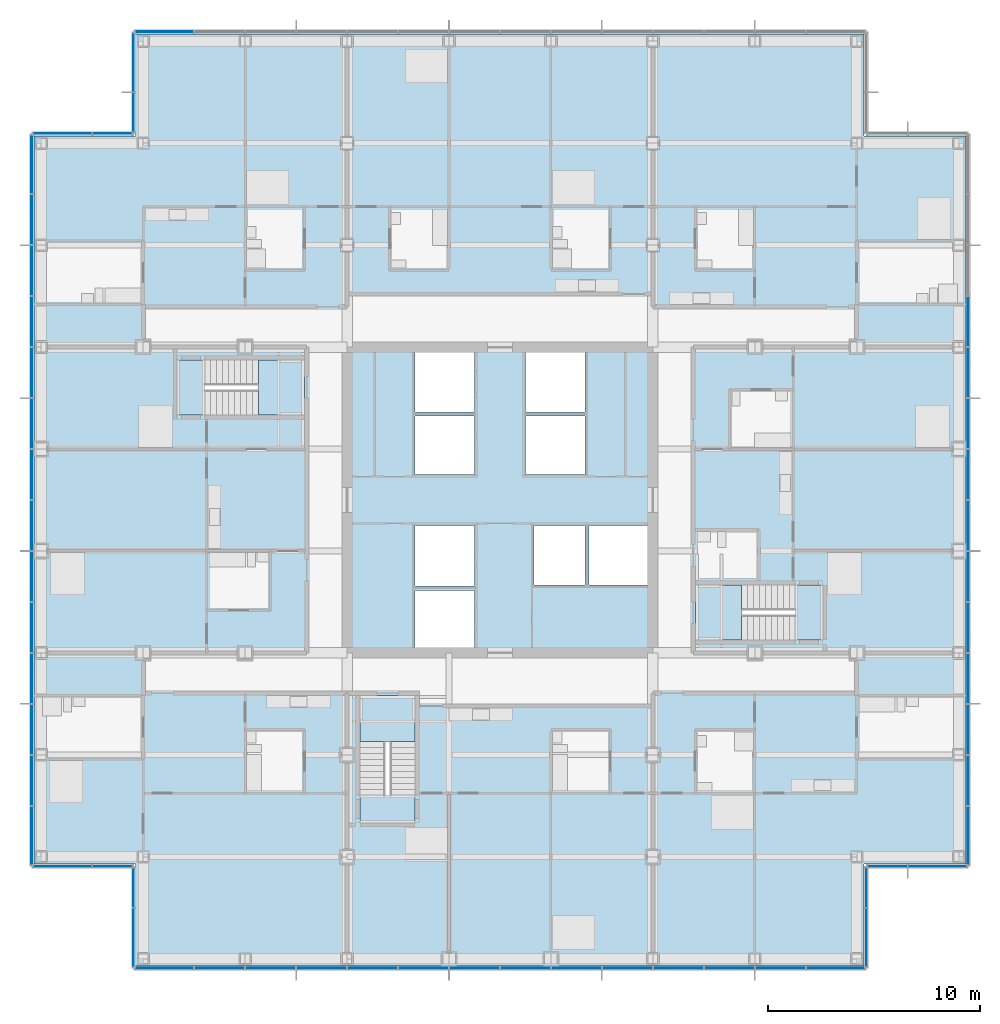
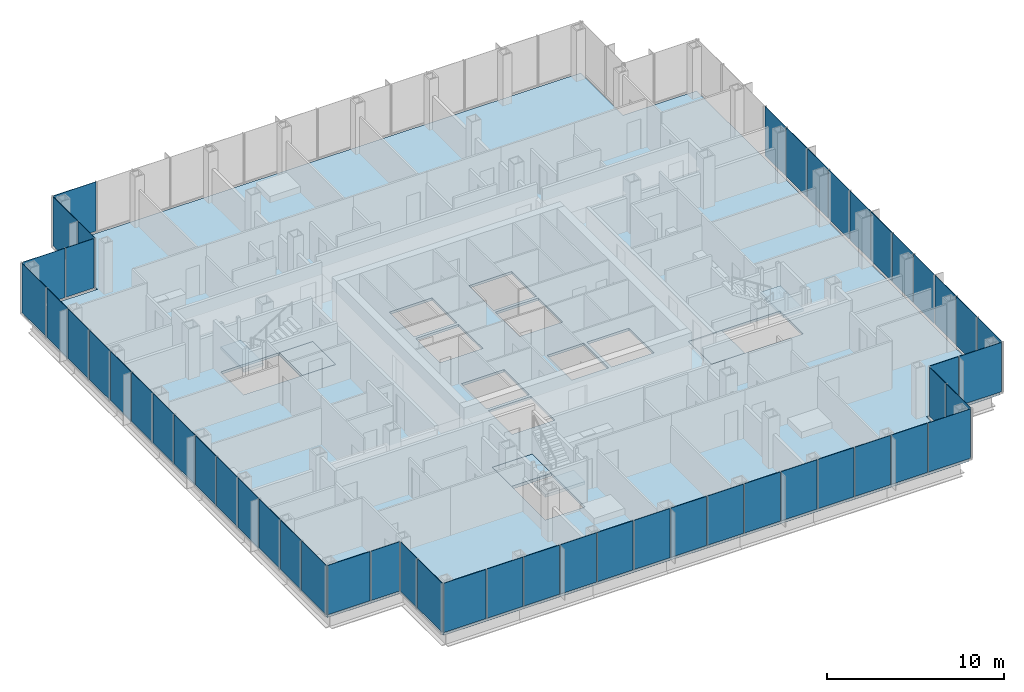
# One storey, part 12 of 21: 52 plates, 7 slabs, 13 elements without a shape of their own.
"""IFC4 building model written with IfcOpenShell, lengths in metres."""

from ifc_helpers import new_model, si_unit, direction, frame, origin, origin_2d, place, context, subcontext, project, spatial, polyline, rectangle, outline, extrude, material, layer, layer_set, type_object, element, aggregate, save


model = new_model("IFC4")

# Units and contexts
model_context = context("Model", 3, precision=1e-05, world=origin(), true_north=direction((0.0, 1.0)))
body_context = subcontext(model_context, "Body", "Model", "MODEL_VIEW")
ifc_project = project(units=[si_unit("LENGTHUNIT", "METRE"), si_unit("AREAUNIT", "SQUARE_METRE"), si_unit("VOLUMEUNIT", "CUBIC_METRE"), si_unit("PLANEANGLEUNIT", "RADIAN"), si_unit("MASSUNIT", "GRAM", prefix="KILO")], contexts=[model_context])

# Site, building, storey
site_placement = place(None, origin())
site = spatial("IfcSite", under=ifc_project, at=site_placement, CompositionType="ELEMENT")
building_placement = place(site_placement, origin())
building = spatial("IfcBuilding", under=site, at=building_placement, Name="Kvirike Care Tower", CompositionType="ELEMENT")
storey_placement = place(building_placement, frame((0.0, 0.0, 62.0)))
storey = spatial("IfcBuildingStorey", under=building, at=storey_placement, Name="L16", CompositionType="ELEMENT", Elevation=62.0)

# Slab
ifc_material_1 = material(Name="Concrete C35/45", Category="concrete")
ifc_layer_1 = layer(ifc_material_1, 0.169921875)
ifc_layer_set_1 = layer_set([ifc_layer_1], Name="FLOOR SLAB 170")
slab_type_1 = type_object("IfcSlabType", Name="FLOOR SLAB 170", PredefinedType="FLOOR", material=ifc_layer_set_1)
slab_1_placement = place(storey_placement, frame((0.0, 0.0, -0.169921875)))
element("IfcSlab", 1, at=slab_1_placement, inside=storey, type_object=slab_type_1, Name="Floor slab L16", PredefinedType="FLOOR", context=body_context, shape_type="SweptSolid", body=[
    extrude(outline(polyline([(-0.35009765625, 53.14990234375), (-0.35009765625, 18.85009765625), (4.449951171875, 18.85009765625), (4.449951171875, 14.050048828125), (38.75, 14.050048828125), (38.75, 18.85009765625), (43.550048828125, 18.85009765625), (43.550048828125, 53.14990234375), (38.75, 53.14990234375), (38.75, 57.949951171875), (4.449951171875, 57.949951171875), (4.449951171875, 53.14990234375), (-0.35009765625, 53.14990234375)]), holes=[polyline([(17.60009765625, 29.050048828125), (17.60009765625, 31.75), (20.39990234375, 31.75), (20.39990234375, 29.050048828125), (17.60009765625, 29.050048828125)]), polyline([(17.60009765625, 31.949951171875), (17.60009765625, 34.800048828125), (20.39990234375, 34.800048828125), (20.39990234375, 31.949951171875), (17.60009765625, 31.949951171875)]), polyline([(17.60009765625, 37.199951171875), (17.60009765625, 39.949951171875), (20.39990234375, 39.949951171875), (20.39990234375, 37.199951171875), (17.60009765625, 37.199951171875)]), polyline([(17.60009765625, 40.14990234375), (17.60009765625, 42.949951171875), (20.39990234375, 42.949951171875), (20.39990234375, 40.14990234375), (17.60009765625, 40.14990234375)]), polyline([(22.800048828125, 37.199951171875), (22.800048828125, 39.949951171875), (25.60009765625, 39.949951171875), (25.60009765625, 37.199951171875), (22.800048828125, 37.199951171875)]), polyline([(22.800048828125, 40.14990234375), (22.800048828125, 42.949951171875), (25.60009765625, 42.949951171875), (25.60009765625, 40.14990234375), (22.800048828125, 40.14990234375)]), polyline([(23.199951171875, 32.0), (23.199951171875, 34.800048828125), (25.60009765625, 34.800048828125), (25.60009765625, 32.0), (23.199951171875, 32.0)]), polyline([(25.800048828125, 32.0), (25.800048828125, 34.800048828125), (28.550048828125, 34.800048828125), (28.550048828125, 32.0), (25.800048828125, 32.0)]), polyline([(12.39990234375, 42.60009765625), (12.39990234375, 40.0), (6.39990234375, 40.0), (6.39990234375, 42.60009765625), (12.39990234375, 42.60009765625)]), polyline([(30.800048828125, 29.39990234375), (30.800048828125, 32.0), (36.800048828125, 32.0), (36.800048828125, 29.39990234375), (30.800048828125, 29.39990234375)]), polyline([(15.0, 26.800048828125), (17.60009765625, 26.800048828125), (17.60009765625, 20.800048828125), (15.0, 20.800048828125), (15.0, 26.800048828125)])]), origin(), (0.0, 0.0, 1.0), 0.169921875),
])

# Stair, slabs
ifc_material_2 = material(Name="Concrete C35/45", Category="concrete")
stair_type = type_object("IfcStairType", Name="STAIR 20 RISERS", PredefinedType="HALF_TURN_STAIR", material=ifc_material_2)
stair_1_placement = place(storey_placement, origin())
stair_1 = element("IfcStair", 2, at=stair_1_placement, inside=storey, type_object=stair_type, Name="Stair 1 L16", PredefinedType="HALF_TURN_STAIR")
ifc_material_3 = material(Name="Concrete C35/45", Category="concrete")
ifc_layer_2 = layer(ifc_material_3, 0.199951171875)
ifc_layer_set_2 = layer_set([ifc_layer_2], Name="STAIR LANDING 200")
slab_type_2 = type_object("IfcSlabType", Name="STAIR LANDING 200", PredefinedType="LANDING", material=ifc_layer_set_2)
slab_2_placement = place(storey_placement, frame((0.0, 0.0, -0.199951171875)))
slab_2 = element("IfcSlab", 3, at=slab_2_placement, type_object=slab_type_2, Name="Stair S1 floor landing L16", PredefinedType="LANDING", context=body_context, shape_type="SweptSolid", body=[
    extrude(outline(polyline([(10.219970703125, 42.60009765625), (10.219970703125, 40.0), (12.39990234375, 40.0), (12.39990234375, 42.60009765625), (10.219970703125, 42.60009765625)])), origin(), (0.0, 0.0, 1.0), 0.199951171875),
])
slab_3_placement = place(storey_placement, frame((0.0, 0.0, 1.550048828125)))
slab_3 = element("IfcSlab", 4, at=slab_3_placement, type_object=slab_type_2, Name="Stair S1 half landing L16-L17", PredefinedType="LANDING", context=body_context, shape_type="SweptSolid", body=[
    extrude(outline(polyline([(6.39990234375, 42.60009765625), (6.39990234375, 40.0), (7.699951171875, 40.0), (7.699951171875, 42.60009765625), (6.39990234375, 42.60009765625)])), origin(), (0.0, 0.0, 1.0), 0.199951171875),
])
aggregate(stair_1, [slab_2, slab_3])

stair_2_placement = place(storey_placement, origin())
stair_2 = element("IfcStair", 5, at=stair_2_placement, inside=storey, type_object=stair_type, Name="Stair 2 L16", PredefinedType="HALF_TURN_STAIR")
slab_4_placement = place(storey_placement, frame((0.0, 0.0, -0.199951171875)))
slab_4 = element("IfcSlab", 6, at=slab_4_placement, type_object=slab_type_2, Name="Stair S2 floor landing L16", PredefinedType="LANDING", context=body_context, shape_type="SweptSolid", body=[
    extrude(outline(polyline([(32.97998046875, 29.39990234375), (32.97998046875, 32.0), (30.800048828125, 32.0), (30.800048828125, 29.39990234375), (32.97998046875, 29.39990234375)])), origin(), (0.0, 0.0, 1.0), 0.199951171875),
])
slab_5_placement = place(storey_placement, frame((0.0, 0.0, 1.550048828125)))
slab_5 = element("IfcSlab", 7, at=slab_5_placement, type_object=slab_type_2, Name="Stair S2 half landing L16-L17", PredefinedType="LANDING", context=body_context, shape_type="SweptSolid", body=[
    extrude(outline(polyline([(36.800048828125, 29.39990234375), (36.800048828125, 32.0), (35.5, 32.0), (35.5, 29.39990234375), (36.800048828125, 29.39990234375)])), origin(), (0.0, 0.0, 1.0), 0.199951171875),
])
aggregate(stair_2, [slab_4, slab_5])

stair_3_placement = place(storey_placement, origin())
stair_3 = element("IfcStair", 8, at=stair_3_placement, inside=storey, type_object=stair_type, Name="Stair 5 L16", PredefinedType="HALF_TURN_STAIR")
slab_6_placement = place(storey_placement, frame((0.0, 0.0, -0.199951171875)))
slab_6 = element("IfcSlab", 9, at=slab_6_placement, type_object=slab_type_2, Name="Stair S5 floor landing L16", PredefinedType="LANDING", context=body_context, shape_type="SweptSolid", body=[
    extrude(outline(polyline([(15.0, 24.6201171875), (17.60009765625, 24.6201171875), (17.60009765625, 26.800048828125), (15.0, 26.800048828125), (15.0, 24.6201171875)])), origin(), (0.0, 0.0, 1.0), 0.199951171875),
])
slab_7_placement = place(storey_placement, frame((0.0, 0.0, 1.550048828125)))
slab_7 = element("IfcSlab", 10, at=slab_7_placement, type_object=slab_type_2, Name="Stair S5 half landing L16-L17", PredefinedType="LANDING", context=body_context, shape_type="SweptSolid", body=[
    extrude(outline(polyline([(15.0, 20.800048828125), (17.60009765625, 20.800048828125), (17.60009765625, 22.10009765625), (15.0, 22.10009765625), (15.0, 20.800048828125)])), origin(), (0.0, 0.0, 1.0), 0.199951171875),
])
aggregate(stair_3, [slab_6, slab_7])

# Curtain wall, plates
ifc_material_4 = material(Name="Anodised aluminium stick system", Category="aluminium")
curtain_wall_type = type_object("IfcCurtainWallType", Name="CW-A STICK CURTAIN WALL", PredefinedType="NOTDEFINED", material=ifc_material_4)
curtain_wall_1_placement = place(storey_placement, origin())
curtain_wall_1 = element("IfcCurtainWall", 11, at=curtain_wall_1_placement, inside=storey, type_object=curtain_wall_type, Name="Curtain wall L16 face 1", PredefinedType="NOTDEFINED")
ifc_material_5 = material(Name="Tinted double glazed unit", Category="glass")
ifc_layer_3 = layer(ifc_material_5, 0.031982421875)
ifc_layer_set_3 = layer_set([ifc_layer_3], Name="TINTED VISION PANEL 32")
plate_type = type_object("IfcPlateType", Name="TINTED VISION PANEL 32", PredefinedType="CURTAIN_PANEL", material=ifc_layer_set_3)
plate_1_placement = place(storey_placement, frame((-0.449951171875, 51.808837890625, 0.10009765625), z_axis=(0.0, 0.0, 1.0), x_axis=(0.0, -1.0, 0.0)))
plate_1 = element("IfcPlate", 12, at=plate_1_placement, type_object=plate_type, Name="CW-A panel L16 face 1.1", PredefinedType="CURTAIN_PANEL", context=body_context, shape_type="SweptSolid", body=[
    extrude(rectangle(XDim=2.75244140625, YDim=0.031982421875, at=origin_2d()), origin(), (0.0, 0.0, 1.0), 3.39990234375),
])
plate_2_placement = place(storey_placement, frame((-0.449951171875, 49.199951171875, 0.10009765625), z_axis=(0.0, 0.0, 1.0), x_axis=(0.0, -1.0, 0.0)))
plate_2 = element("IfcPlate", 13, at=plate_2_placement, type_object=plate_type, Name="CW-A panel L16 face 1.2", PredefinedType="CURTAIN_PANEL", context=body_context, shape_type="SweptSolid", body=[
    extrude(rectangle(XDim=2.3349609375, YDim=0.031982421875, at=origin_2d()), origin(), (0.0, 0.0, 1.0), 3.39990234375),
])
plate_3_placement = place(storey_placement, frame((-0.449951171875, 46.800048828125, 0.10009765625), z_axis=(0.0, 0.0, 1.0), x_axis=(0.0, -1.0, 0.0)))
plate_3 = element("IfcPlate", 14, at=plate_3_placement, type_object=plate_type, Name="CW-A panel L16 face 1.3", PredefinedType="CURTAIN_PANEL", context=body_context, shape_type="SweptSolid", body=[
    extrude(rectangle(XDim=2.3349609375, YDim=0.031982421875, at=origin_2d()), origin(), (0.0, 0.0, 1.0), 3.39990234375),
])
plate_4_placement = place(storey_placement, frame((-0.449951171875, 44.39990234375, 0.10009765625), z_axis=(0.0, 0.0, 1.0), x_axis=(0.0, -1.0, 0.0)))
plate_4 = element("IfcPlate", 15, at=plate_4_placement, type_object=plate_type, Name="CW-A panel L16 face 1.4", PredefinedType="CURTAIN_PANEL", context=body_context, shape_type="SweptSolid", body=[
    extrude(rectangle(XDim=2.3349609375, YDim=0.031982421875, at=origin_2d()), origin(), (0.0, 0.0, 1.0), 3.39990234375),
])
plate_5_placement = place(storey_placement, frame((-0.449951171875, 42.0, 0.10009765625), z_axis=(0.0, 0.0, 1.0), x_axis=(0.0, -1.0, 0.0)))
plate_5 = element("IfcPlate", 16, at=plate_5_placement, type_object=plate_type, Name="CW-A panel L16 face 1.5", PredefinedType="CURTAIN_PANEL", context=body_context, shape_type="SweptSolid", body=[
    extrude(rectangle(XDim=2.3349609375, YDim=0.031982421875, at=origin_2d()), origin(), (0.0, 0.0, 1.0), 3.39990234375),
])
plate_6_placement = place(storey_placement, frame((-0.449951171875, 39.60009765625, 0.10009765625), z_axis=(0.0, 0.0, 1.0), x_axis=(0.0, -1.0, 0.0)))
plate_6 = element("IfcPlate", 17, at=plate_6_placement, type_object=plate_type, Name="CW-A panel L16 face 1.6", PredefinedType="CURTAIN_PANEL", context=body_context, shape_type="SweptSolid", body=[
    extrude(rectangle(XDim=2.3349609375, YDim=0.031982421875, at=origin_2d()), origin(), (0.0, 0.0, 1.0), 3.39990234375),
])
plate_7_placement = place(storey_placement, frame((-0.449951171875, 37.199951171875, 0.10009765625), z_axis=(0.0, 0.0, 1.0), x_axis=(0.0, -1.0, 0.0)))
plate_7 = element("IfcPlate", 18, at=plate_7_placement, type_object=plate_type, Name="CW-A panel L16 face 1.7", PredefinedType="CURTAIN_PANEL", context=body_context, shape_type="SweptSolid", body=[
    extrude(rectangle(XDim=2.3349609375, YDim=0.031982421875, at=origin_2d()), origin(), (0.0, 0.0, 1.0), 3.39990234375),
])
plate_8_placement = place(storey_placement, frame((-0.449951171875, 34.800048828125, 0.10009765625), z_axis=(0.0, 0.0, 1.0), x_axis=(0.0, -1.0, 0.0)))
plate_8 = element("IfcPlate", 19, at=plate_8_placement, type_object=plate_type, Name="CW-A panel L16 face 1.8", PredefinedType="CURTAIN_PANEL", context=body_context, shape_type="SweptSolid", body=[
    extrude(rectangle(XDim=2.3349609375, YDim=0.031982421875, at=origin_2d()), origin(), (0.0, 0.0, 1.0), 3.39990234375),
])
plate_9_placement = place(storey_placement, frame((-0.449951171875, 32.39990234375, 0.10009765625), z_axis=(0.0, 0.0, 1.0), x_axis=(0.0, -1.0, 0.0)))
plate_9 = element("IfcPlate", 20, at=plate_9_placement, type_object=plate_type, Name="CW-A panel L16 face 1.9", PredefinedType="CURTAIN_PANEL", context=body_context, shape_type="SweptSolid", body=[
    extrude(rectangle(XDim=2.3349609375, YDim=0.031982421875, at=origin_2d()), origin(), (0.0, 0.0, 1.0), 3.39990234375),
])
plate_10_placement = place(storey_placement, frame((-0.449951171875, 30.0, 0.10009765625), z_axis=(0.0, 0.0, 1.0), x_axis=(0.0, -1.0, 0.0)))
plate_10 = element("IfcPlate", 21, at=plate_10_placement, type_object=plate_type, Name="CW-A panel L16 face 1.10", PredefinedType="CURTAIN_PANEL", context=body_context, shape_type="SweptSolid", body=[
    extrude(rectangle(XDim=2.3349609375, YDim=0.031982421875, at=origin_2d()), origin(), (0.0, 0.0, 1.0), 3.39990234375),
])
plate_11_placement = place(storey_placement, frame((-0.449951171875, 27.60009765625, 0.10009765625), z_axis=(0.0, 0.0, 1.0), x_axis=(0.0, -1.0, 0.0)))
plate_11 = element("IfcPlate", 22, at=plate_11_placement, type_object=plate_type, Name="CW-A panel L16 face 1.11", PredefinedType="CURTAIN_PANEL", context=body_context, shape_type="SweptSolid", body=[
    extrude(rectangle(XDim=2.3349609375, YDim=0.031982421875, at=origin_2d()), origin(), (0.0, 0.0, 1.0), 3.39990234375),
])
plate_12_placement = place(storey_placement, frame((-0.449951171875, 25.199951171875, 0.10009765625), z_axis=(0.0, 0.0, 1.0), x_axis=(0.0, -1.0, 0.0)))
plate_12 = element("IfcPlate", 23, at=plate_12_placement, type_object=plate_type, Name="CW-A panel L16 face 1.12", PredefinedType="CURTAIN_PANEL", context=body_context, shape_type="SweptSolid", body=[
    extrude(rectangle(XDim=2.3349609375, YDim=0.031982421875, at=origin_2d()), origin(), (0.0, 0.0, 1.0), 3.39990234375),
])
plate_13_placement = place(storey_placement, frame((-0.449951171875, 22.800048828125, 0.10009765625), z_axis=(0.0, 0.0, 1.0), x_axis=(0.0, -1.0, 0.0)))
plate_13 = element("IfcPlate", 24, at=plate_13_placement, type_object=plate_type, Name="CW-A panel L16 face 1.13", PredefinedType="CURTAIN_PANEL", context=body_context, shape_type="SweptSolid", body=[
    extrude(rectangle(XDim=2.3349609375, YDim=0.031982421875, at=origin_2d()), origin(), (0.0, 0.0, 1.0), 3.39990234375),
])
plate_14_placement = place(storey_placement, frame((-0.449951171875, 20.191162109375, 0.10009765625), z_axis=(0.0, 0.0, 1.0), x_axis=(0.0, -1.0, 0.0)))
plate_14 = element("IfcPlate", 25, at=plate_14_placement, type_object=plate_type, Name="CW-A panel L16 face 1.14", PredefinedType="CURTAIN_PANEL", context=body_context, shape_type="SweptSolid", body=[
    extrude(rectangle(XDim=2.75244140625, YDim=0.031982421875, at=origin_2d()), origin(), (0.0, 0.0, 1.0), 3.39990234375),
])
aggregate(curtain_wall_1, [plate_1, plate_2, plate_3, plate_4, plate_5, plate_6, plate_7, plate_8, plate_9, plate_10, plate_11, plate_12, plate_13, plate_14])

curtain_wall_2_placement = place(storey_placement, origin())
curtain_wall_2 = element("IfcCurtainWall", 26, at=curtain_wall_2_placement, inside=storey, type_object=curtain_wall_type, Name="Curtain wall L16 face 2", PredefinedType="NOTDEFINED")
plate_15_placement = place(storey_placement, frame((0.9912109375, 18.75, 0.10009765625), z_axis=(0.0, 0.0, 1.0), x_axis=(1.0, 0.0, 0.0)))
plate_15 = element("IfcPlate", 27, at=plate_15_placement, type_object=plate_type, Name="CW-A panel L16 face 2.1", PredefinedType="CURTAIN_PANEL", context=body_context, shape_type="SweptSolid", body=[
    extrude(rectangle(XDim=2.75244140625, YDim=0.031982421875, at=origin_2d()), origin(), (0.0, 0.0, 1.0), 3.39990234375),
])
plate_16_placement = place(storey_placement, frame((3.358642578125, 18.75, 0.10009765625), z_axis=(0.0, 0.0, 1.0), x_axis=(1.0, 0.0, 0.0)))
plate_16 = element("IfcPlate", 28, at=plate_16_placement, type_object=plate_type, Name="CW-A panel L16 face 2.2", PredefinedType="CURTAIN_PANEL", context=body_context, shape_type="SweptSolid", body=[
    extrude(rectangle(XDim=1.8525390625, YDim=0.031982421875, at=origin_2d()), origin(), (0.0, 0.0, 1.0), 3.39990234375),
])
aggregate(curtain_wall_2, [plate_15, plate_16])

curtain_wall_3_placement = place(storey_placement, origin())
curtain_wall_3 = element("IfcCurtainWall", 29, at=curtain_wall_3_placement, inside=storey, type_object=curtain_wall_type, Name="Curtain wall L16 face 3", PredefinedType="NOTDEFINED")
plate_17_placement = place(storey_placement, frame((4.35009765625, 17.7587890625, 0.10009765625), z_axis=(0.0, 0.0, 1.0), x_axis=(0.0, -1.0, 0.0)))
plate_17 = element("IfcPlate", 30, at=plate_17_placement, type_object=plate_type, Name="CW-A panel L16 face 3.1", PredefinedType="CURTAIN_PANEL", context=body_context, shape_type="SweptSolid", body=[
    extrude(rectangle(XDim=1.8525390625, YDim=0.031982421875, at=origin_2d()), origin(), (0.0, 0.0, 1.0), 3.39990234375),
])
plate_18_placement = place(storey_placement, frame((4.35009765625, 15.391357421875, 0.10009765625), z_axis=(0.0, 0.0, 1.0), x_axis=(0.0, -1.0, 0.0)))
plate_18 = element("IfcPlate", 31, at=plate_18_placement, type_object=plate_type, Name="CW-A panel L16 face 3.2", PredefinedType="CURTAIN_PANEL", context=body_context, shape_type="SweptSolid", body=[
    extrude(rectangle(XDim=2.75244140625, YDim=0.031982421875, at=origin_2d()), origin(), (0.0, 0.0, 1.0), 3.39990234375),
])
aggregate(curtain_wall_3, [plate_17, plate_18])

curtain_wall_4_placement = place(storey_placement, origin())
curtain_wall_4 = element("IfcCurtainWall", 32, at=curtain_wall_4_placement, inside=storey, type_object=curtain_wall_type, Name="Curtain wall L16 face 4", PredefinedType="NOTDEFINED")
plate_19_placement = place(storey_placement, frame((5.791259765625, 13.949951171875, 0.10009765625), z_axis=(0.0, 0.0, 1.0), x_axis=(1.0, 0.0, 0.0)))
plate_19 = element("IfcPlate", 33, at=plate_19_placement, type_object=plate_type, Name="CW-A panel L16 face 4.1", PredefinedType="CURTAIN_PANEL", context=body_context, shape_type="SweptSolid", body=[
    extrude(rectangle(XDim=2.75244140625, YDim=0.031982421875, at=origin_2d()), origin(), (0.0, 0.0, 1.0), 3.39990234375),
])
plate_20_placement = place(storey_placement, frame((8.39990234375, 13.949951171875, 0.10009765625), z_axis=(0.0, 0.0, 1.0), x_axis=(1.0, 0.0, 0.0)))
plate_20 = element("IfcPlate", 34, at=plate_20_placement, type_object=plate_type, Name="CW-A panel L16 face 4.2", PredefinedType="CURTAIN_PANEL", context=body_context, shape_type="SweptSolid", body=[
    extrude(rectangle(XDim=2.3349609375, YDim=0.031982421875, at=origin_2d()), origin(), (0.0, 0.0, 1.0), 3.39990234375),
])
plate_21_placement = place(storey_placement, frame((10.800048828125, 13.949951171875, 0.10009765625), z_axis=(0.0, 0.0, 1.0), x_axis=(1.0, 0.0, 0.0)))
plate_21 = element("IfcPlate", 35, at=plate_21_placement, type_object=plate_type, Name="CW-A panel L16 face 4.3", PredefinedType="CURTAIN_PANEL", context=body_context, shape_type="SweptSolid", body=[
    extrude(rectangle(XDim=2.3349609375, YDim=0.031982421875, at=origin_2d()), origin(), (0.0, 0.0, 1.0), 3.39990234375),
])
plate_22_placement = place(storey_placement, frame((13.199951171875, 13.949951171875, 0.10009765625), z_axis=(0.0, 0.0, 1.0), x_axis=(1.0, 0.0, 0.0)))
plate_22 = element("IfcPlate", 36, at=plate_22_placement, type_object=plate_type, Name="CW-A panel L16 face 4.4", PredefinedType="CURTAIN_PANEL", context=body_context, shape_type="SweptSolid", body=[
    extrude(rectangle(XDim=2.3349609375, YDim=0.031982421875, at=origin_2d()), origin(), (0.0, 0.0, 1.0), 3.39990234375),
])
plate_23_placement = place(storey_placement, frame((15.60009765625, 13.949951171875, 0.10009765625), z_axis=(0.0, 0.0, 1.0), x_axis=(1.0, 0.0, 0.0)))
plate_23 = element("IfcPlate", 37, at=plate_23_placement, type_object=plate_type, Name="CW-A panel L16 face 4.5", PredefinedType="CURTAIN_PANEL", context=body_context, shape_type="SweptSolid", body=[
    extrude(rectangle(XDim=2.3349609375, YDim=0.031982421875, at=origin_2d()), origin(), (0.0, 0.0, 1.0), 3.39990234375),
])
plate_24_placement = place(storey_placement, frame((18.0, 13.949951171875, 0.10009765625), z_axis=(0.0, 0.0, 1.0), x_axis=(1.0, 0.0, 0.0)))
plate_24 = element("IfcPlate", 38, at=plate_24_placement, type_object=plate_type, Name="CW-A panel L16 face 4.6", PredefinedType="CURTAIN_PANEL", context=body_context, shape_type="SweptSolid", body=[
    extrude(rectangle(XDim=2.3349609375, YDim=0.031982421875, at=origin_2d()), origin(), (0.0, 0.0, 1.0), 3.39990234375),
])
plate_25_placement = place(storey_placement, frame((20.39990234375, 13.949951171875, 0.10009765625), z_axis=(0.0, 0.0, 1.0), x_axis=(1.0, 0.0, 0.0)))
plate_25 = element("IfcPlate", 39, at=plate_25_placement, type_object=plate_type, Name="CW-A panel L16 face 4.7", PredefinedType="CURTAIN_PANEL", context=body_context, shape_type="SweptSolid", body=[
    extrude(rectangle(XDim=2.3349609375, YDim=0.031982421875, at=origin_2d()), origin(), (0.0, 0.0, 1.0), 3.39990234375),
])
plate_26_placement = place(storey_placement, frame((22.800048828125, 13.949951171875, 0.10009765625), z_axis=(0.0, 0.0, 1.0), x_axis=(1.0, 0.0, 0.0)))
plate_26 = element("IfcPlate", 40, at=plate_26_placement, type_object=plate_type, Name="CW-A panel L16 face 4.8", PredefinedType="CURTAIN_PANEL", context=body_context, shape_type="SweptSolid", body=[
    extrude(rectangle(XDim=2.3349609375, YDim=0.031982421875, at=origin_2d()), origin(), (0.0, 0.0, 1.0), 3.39990234375),
])
plate_27_placement = place(storey_placement, frame((25.199951171875, 13.949951171875, 0.10009765625), z_axis=(0.0, 0.0, 1.0), x_axis=(1.0, 0.0, 0.0)))
plate_27 = element("IfcPlate", 41, at=plate_27_placement, type_object=plate_type, Name="CW-A panel L16 face 4.9", PredefinedType="CURTAIN_PANEL", context=body_context, shape_type="SweptSolid", body=[
    extrude(rectangle(XDim=2.3349609375, YDim=0.031982421875, at=origin_2d()), origin(), (0.0, 0.0, 1.0), 3.39990234375),
])
plate_28_placement = place(storey_placement, frame((27.60009765625, 13.949951171875, 0.10009765625), z_axis=(0.0, 0.0, 1.0), x_axis=(1.0, 0.0, 0.0)))
plate_28 = element("IfcPlate", 42, at=plate_28_placement, type_object=plate_type, Name="CW-A panel L16 face 4.10", PredefinedType="CURTAIN_PANEL", context=body_context, shape_type="SweptSolid", body=[
    extrude(rectangle(XDim=2.3349609375, YDim=0.031982421875, at=origin_2d()), origin(), (0.0, 0.0, 1.0), 3.39990234375),
])
plate_29_placement = place(storey_placement, frame((30.0, 13.949951171875, 0.10009765625), z_axis=(0.0, 0.0, 1.0), x_axis=(1.0, 0.0, 0.0)))
plate_29 = element("IfcPlate", 43, at=plate_29_placement, type_object=plate_type, Name="CW-A panel L16 face 4.11", PredefinedType="CURTAIN_PANEL", context=body_context, shape_type="SweptSolid", body=[
    extrude(rectangle(XDim=2.3349609375, YDim=0.031982421875, at=origin_2d()), origin(), (0.0, 0.0, 1.0), 3.39990234375),
])
plate_30_placement = place(storey_placement, frame((32.39990234375, 13.949951171875, 0.10009765625), z_axis=(0.0, 0.0, 1.0), x_axis=(1.0, 0.0, 0.0)))
plate_30 = element("IfcPlate", 44, at=plate_30_placement, type_object=plate_type, Name="CW-A panel L16 face 4.12", PredefinedType="CURTAIN_PANEL", context=body_context, shape_type="SweptSolid", body=[
    extrude(rectangle(XDim=2.3349609375, YDim=0.031982421875, at=origin_2d()), origin(), (0.0, 0.0, 1.0), 3.39990234375),
])
plate_31_placement = place(storey_placement, frame((34.800048828125, 13.949951171875, 0.10009765625), z_axis=(0.0, 0.0, 1.0), x_axis=(1.0, 0.0, 0.0)))
plate_31 = element("IfcPlate", 45, at=plate_31_placement, type_object=plate_type, Name="CW-A panel L16 face 4.13", PredefinedType="CURTAIN_PANEL", context=body_context, shape_type="SweptSolid", body=[
    extrude(rectangle(XDim=2.3349609375, YDim=0.031982421875, at=origin_2d()), origin(), (0.0, 0.0, 1.0), 3.39990234375),
])
plate_32_placement = place(storey_placement, frame((37.40869140625, 13.949951171875, 0.10009765625), z_axis=(0.0, 0.0, 1.0), x_axis=(1.0, 0.0, 0.0)))
plate_32 = element("IfcPlate", 46, at=plate_32_placement, type_object=plate_type, Name="CW-A panel L16 face 4.14", PredefinedType="CURTAIN_PANEL", context=body_context, shape_type="SweptSolid", body=[
    extrude(rectangle(XDim=2.75244140625, YDim=0.031982421875, at=origin_2d()), origin(), (0.0, 0.0, 1.0), 3.39990234375),
])
aggregate(curtain_wall_4, [plate_19, plate_20, plate_21, plate_22, plate_23, plate_24, plate_25, plate_26, plate_27, plate_28, plate_29, plate_30, plate_31, plate_32])

curtain_wall_5_placement = place(storey_placement, origin())
curtain_wall_5 = element("IfcCurtainWall", 47, at=curtain_wall_5_placement, inside=storey, type_object=curtain_wall_type, Name="Curtain wall L16 face 5", PredefinedType="NOTDEFINED")
plate_33_placement = place(storey_placement, frame((38.85009765625, 15.391357421875, 0.10009765625), z_axis=(0.0, 0.0, 1.0), x_axis=(0.0, 1.0, 0.0)))
plate_33 = element("IfcPlate", 48, at=plate_33_placement, type_object=plate_type, Name="CW-A panel L16 face 5.1", PredefinedType="CURTAIN_PANEL", context=body_context, shape_type="SweptSolid", body=[
    extrude(rectangle(XDim=2.75244140625, YDim=0.031982421875, at=origin_2d()), origin(), (0.0, 0.0, 1.0), 3.39990234375),
])
plate_34_placement = place(storey_placement, frame((38.85009765625, 17.7587890625, 0.10009765625), z_axis=(0.0, 0.0, 1.0), x_axis=(0.0, 1.0, 0.0)))
plate_34 = element("IfcPlate", 49, at=plate_34_placement, type_object=plate_type, Name="CW-A panel L16 face 5.2", PredefinedType="CURTAIN_PANEL", context=body_context, shape_type="SweptSolid", body=[
    extrude(rectangle(XDim=1.8525390625, YDim=0.031982421875, at=origin_2d()), origin(), (0.0, 0.0, 1.0), 3.39990234375),
])
aggregate(curtain_wall_5, [plate_33, plate_34])

curtain_wall_6_placement = place(storey_placement, origin())
curtain_wall_6 = element("IfcCurtainWall", 50, at=curtain_wall_6_placement, inside=storey, type_object=curtain_wall_type, Name="Curtain wall L16 face 6", PredefinedType="NOTDEFINED")
plate_35_placement = place(storey_placement, frame((39.84130859375, 18.75, 0.10009765625), z_axis=(0.0, 0.0, 1.0), x_axis=(1.0, 0.0, 0.0)))
plate_35 = element("IfcPlate", 51, at=plate_35_placement, type_object=plate_type, Name="CW-A panel L16 face 6.1", PredefinedType="CURTAIN_PANEL", context=body_context, shape_type="SweptSolid", body=[
    extrude(rectangle(XDim=1.8525390625, YDim=0.031982421875, at=origin_2d()), origin(), (0.0, 0.0, 1.0), 3.39990234375),
])
plate_36_placement = place(storey_placement, frame((42.208740234375, 18.75, 0.10009765625), z_axis=(0.0, 0.0, 1.0), x_axis=(1.0, 0.0, 0.0)))
plate_36 = element("IfcPlate", 52, at=plate_36_placement, type_object=plate_type, Name="CW-A panel L16 face 6.2", PredefinedType="CURTAIN_PANEL", context=body_context, shape_type="SweptSolid", body=[
    extrude(rectangle(XDim=2.75244140625, YDim=0.031982421875, at=origin_2d()), origin(), (0.0, 0.0, 1.0), 3.39990234375),
])
aggregate(curtain_wall_6, [plate_35, plate_36])

curtain_wall_7_placement = place(storey_placement, origin())
curtain_wall_7 = element("IfcCurtainWall", 53, at=curtain_wall_7_placement, inside=storey, type_object=curtain_wall_type, Name="Curtain wall L16 face 7", PredefinedType="NOTDEFINED")
plate_37_placement = place(storey_placement, frame((43.64990234375, 20.191162109375, 0.10009765625), z_axis=(0.0, 0.0, 1.0), x_axis=(0.0, 1.0, 0.0)))
plate_37 = element("IfcPlate", 54, at=plate_37_placement, type_object=plate_type, Name="CW-A panel L16 face 7.1", PredefinedType="CURTAIN_PANEL", context=body_context, shape_type="SweptSolid", body=[
    extrude(rectangle(XDim=2.75244140625, YDim=0.031982421875, at=origin_2d()), origin(), (0.0, 0.0, 1.0), 3.39990234375),
])
plate_38_placement = place(storey_placement, frame((43.64990234375, 22.800048828125, 0.10009765625), z_axis=(0.0, 0.0, 1.0), x_axis=(0.0, 1.0, 0.0)))
plate_38 = element("IfcPlate", 55, at=plate_38_placement, type_object=plate_type, Name="CW-A panel L16 face 7.2", PredefinedType="CURTAIN_PANEL", context=body_context, shape_type="SweptSolid", body=[
    extrude(rectangle(XDim=2.3349609375, YDim=0.031982421875, at=origin_2d()), origin(), (0.0, 0.0, 1.0), 3.39990234375),
])
plate_39_placement = place(storey_placement, frame((43.64990234375, 25.199951171875, 0.10009765625), z_axis=(0.0, 0.0, 1.0), x_axis=(0.0, 1.0, 0.0)))
plate_39 = element("IfcPlate", 56, at=plate_39_placement, type_object=plate_type, Name="CW-A panel L16 face 7.3", PredefinedType="CURTAIN_PANEL", context=body_context, shape_type="SweptSolid", body=[
    extrude(rectangle(XDim=2.3349609375, YDim=0.031982421875, at=origin_2d()), origin(), (0.0, 0.0, 1.0), 3.39990234375),
])
plate_40_placement = place(storey_placement, frame((43.64990234375, 27.60009765625, 0.10009765625), z_axis=(0.0, 0.0, 1.0), x_axis=(0.0, 1.0, 0.0)))
plate_40 = element("IfcPlate", 57, at=plate_40_placement, type_object=plate_type, Name="CW-A panel L16 face 7.4", PredefinedType="CURTAIN_PANEL", context=body_context, shape_type="SweptSolid", body=[
    extrude(rectangle(XDim=2.3349609375, YDim=0.031982421875, at=origin_2d()), origin(), (0.0, 0.0, 1.0), 3.39990234375),
])
plate_41_placement = place(storey_placement, frame((43.64990234375, 30.0, 0.10009765625), z_axis=(0.0, 0.0, 1.0), x_axis=(0.0, 1.0, 0.0)))
plate_41 = element("IfcPlate", 58, at=plate_41_placement, type_object=plate_type, Name="CW-A panel L16 face 7.5", PredefinedType="CURTAIN_PANEL", context=body_context, shape_type="SweptSolid", body=[
    extrude(rectangle(XDim=2.3349609375, YDim=0.031982421875, at=origin_2d()), origin(), (0.0, 0.0, 1.0), 3.39990234375),
])
plate_42_placement = place(storey_placement, frame((43.64990234375, 32.39990234375, 0.10009765625), z_axis=(0.0, 0.0, 1.0), x_axis=(0.0, 1.0, 0.0)))
plate_42 = element("IfcPlate", 59, at=plate_42_placement, type_object=plate_type, Name="CW-A panel L16 face 7.6", PredefinedType="CURTAIN_PANEL", context=body_context, shape_type="SweptSolid", body=[
    extrude(rectangle(XDim=2.3349609375, YDim=0.031982421875, at=origin_2d()), origin(), (0.0, 0.0, 1.0), 3.39990234375),
])
plate_43_placement = place(storey_placement, frame((43.64990234375, 34.800048828125, 0.10009765625), z_axis=(0.0, 0.0, 1.0), x_axis=(0.0, 1.0, 0.0)))
plate_43 = element("IfcPlate", 60, at=plate_43_placement, type_object=plate_type, Name="CW-A panel L16 face 7.7", PredefinedType="CURTAIN_PANEL", context=body_context, shape_type="SweptSolid", body=[
    extrude(rectangle(XDim=2.3349609375, YDim=0.031982421875, at=origin_2d()), origin(), (0.0, 0.0, 1.0), 3.39990234375),
])
plate_44_placement = place(storey_placement, frame((43.64990234375, 37.199951171875, 0.10009765625), z_axis=(0.0, 0.0, 1.0), x_axis=(0.0, 1.0, 0.0)))
plate_44 = element("IfcPlate", 61, at=plate_44_placement, type_object=plate_type, Name="CW-A panel L16 face 7.8", PredefinedType="CURTAIN_PANEL", context=body_context, shape_type="SweptSolid", body=[
    extrude(rectangle(XDim=2.3349609375, YDim=0.031982421875, at=origin_2d()), origin(), (0.0, 0.0, 1.0), 3.39990234375),
])
plate_45_placement = place(storey_placement, frame((43.64990234375, 39.60009765625, 0.10009765625), z_axis=(0.0, 0.0, 1.0), x_axis=(0.0, 1.0, 0.0)))
plate_45 = element("IfcPlate", 62, at=plate_45_placement, type_object=plate_type, Name="CW-A panel L16 face 7.9", PredefinedType="CURTAIN_PANEL", context=body_context, shape_type="SweptSolid", body=[
    extrude(rectangle(XDim=2.3349609375, YDim=0.031982421875, at=origin_2d()), origin(), (0.0, 0.0, 1.0), 3.39990234375),
])
plate_46_placement = place(storey_placement, frame((43.64990234375, 42.0, 0.10009765625), z_axis=(0.0, 0.0, 1.0), x_axis=(0.0, 1.0, 0.0)))
plate_46 = element("IfcPlate", 63, at=plate_46_placement, type_object=plate_type, Name="CW-A panel L16 face 7.10", PredefinedType="CURTAIN_PANEL", context=body_context, shape_type="SweptSolid", body=[
    extrude(rectangle(XDim=2.3349609375, YDim=0.031982421875, at=origin_2d()), origin(), (0.0, 0.0, 1.0), 3.39990234375),
])
plate_47_placement = place(storey_placement, frame((43.64990234375, 44.39990234375, 0.10009765625), z_axis=(0.0, 0.0, 1.0), x_axis=(0.0, 1.0, 0.0)))
plate_47 = element("IfcPlate", 64, at=plate_47_placement, type_object=plate_type, Name="CW-A panel L16 face 7.11", PredefinedType="CURTAIN_PANEL", context=body_context, shape_type="SweptSolid", body=[
    extrude(rectangle(XDim=2.3349609375, YDim=0.031982421875, at=origin_2d()), origin(), (0.0, 0.0, 1.0), 3.39990234375),
])
aggregate(curtain_wall_7, [plate_37, plate_38, plate_39, plate_40, plate_41, plate_42, plate_43, plate_44, plate_45, plate_46, plate_47])

# Curtain wall, plate
curtain_wall_8_placement = place(storey_placement, origin())
curtain_wall_8 = element("IfcCurtainWall", 65, at=curtain_wall_8_placement, inside=storey, type_object=curtain_wall_type, Name="Curtain wall L16 face 10", PredefinedType="NOTDEFINED")
plate_48_placement = place(storey_placement, frame((5.791259765625, 58.050048828125, 0.10009765625), z_axis=(0.0, 0.0, 1.0), x_axis=(-1.0, 0.0, 0.0)))
plate_48 = element("IfcPlate", 66, at=plate_48_placement, type_object=plate_type, Name="CW-A panel L16 face 10.14", PredefinedType="CURTAIN_PANEL", context=body_context, shape_type="SweptSolid", body=[
    extrude(rectangle(XDim=2.75244140625, YDim=0.031982421875, at=origin_2d()), origin(), (0.0, 0.0, 1.0), 3.39990234375),
])
aggregate(curtain_wall_8, [plate_48])

# Curtain wall, plates
curtain_wall_9_placement = place(storey_placement, origin())
curtain_wall_9 = element("IfcCurtainWall", 67, at=curtain_wall_9_placement, inside=storey, type_object=curtain_wall_type, Name="Curtain wall L16 face 11", PredefinedType="NOTDEFINED")
plate_49_placement = place(storey_placement, frame((4.35009765625, 56.608642578125, 0.10009765625), z_axis=(0.0, 0.0, 1.0), x_axis=(0.0, -1.0, 0.0)))
plate_49 = element("IfcPlate", 68, at=plate_49_placement, type_object=plate_type, Name="CW-A panel L16 face 11.1", PredefinedType="CURTAIN_PANEL", context=body_context, shape_type="SweptSolid", body=[
    extrude(rectangle(XDim=2.75244140625, YDim=0.031982421875, at=origin_2d()), origin(), (0.0, 0.0, 1.0), 3.39990234375),
])
plate_50_placement = place(storey_placement, frame((4.35009765625, 54.2412109375, 0.10009765625), z_axis=(0.0, 0.0, 1.0), x_axis=(0.0, -1.0, 0.0)))
plate_50 = element("IfcPlate", 69, at=plate_50_placement, type_object=plate_type, Name="CW-A panel L16 face 11.2", PredefinedType="CURTAIN_PANEL", context=body_context, shape_type="SweptSolid", body=[
    extrude(rectangle(XDim=1.8525390625, YDim=0.031982421875, at=origin_2d()), origin(), (0.0, 0.0, 1.0), 3.39990234375),
])
aggregate(curtain_wall_9, [plate_49, plate_50])

curtain_wall_10_placement = place(storey_placement, origin())
curtain_wall_10 = element("IfcCurtainWall", 70, at=curtain_wall_10_placement, inside=storey, type_object=curtain_wall_type, Name="Curtain wall L16 face 12", PredefinedType="NOTDEFINED")
plate_51_placement = place(storey_placement, frame((3.358642578125, 53.25, 0.10009765625), z_axis=(0.0, 0.0, 1.0), x_axis=(-1.0, 0.0, 0.0)))
plate_51 = element("IfcPlate", 71, at=plate_51_placement, type_object=plate_type, Name="CW-A panel L16 face 12.1", PredefinedType="CURTAIN_PANEL", context=body_context, shape_type="SweptSolid", body=[
    extrude(rectangle(XDim=1.8525390625, YDim=0.031982421875, at=origin_2d()), origin(), (0.0, 0.0, 1.0), 3.39990234375),
])
plate_52_placement = place(storey_placement, frame((0.9912109375, 53.25, 0.10009765625), z_axis=(0.0, 0.0, 1.0), x_axis=(-1.0, 0.0, 0.0)))
plate_52 = element("IfcPlate", 72, at=plate_52_placement, type_object=plate_type, Name="CW-A panel L16 face 12.2", PredefinedType="CURTAIN_PANEL", context=body_context, shape_type="SweptSolid", body=[
    extrude(rectangle(XDim=2.75244140625, YDim=0.031982421875, at=origin_2d()), origin(), (0.0, 0.0, 1.0), 3.39990234375),
])
aggregate(curtain_wall_10, [plate_51, plate_52])

save(model, "model.ifc")
